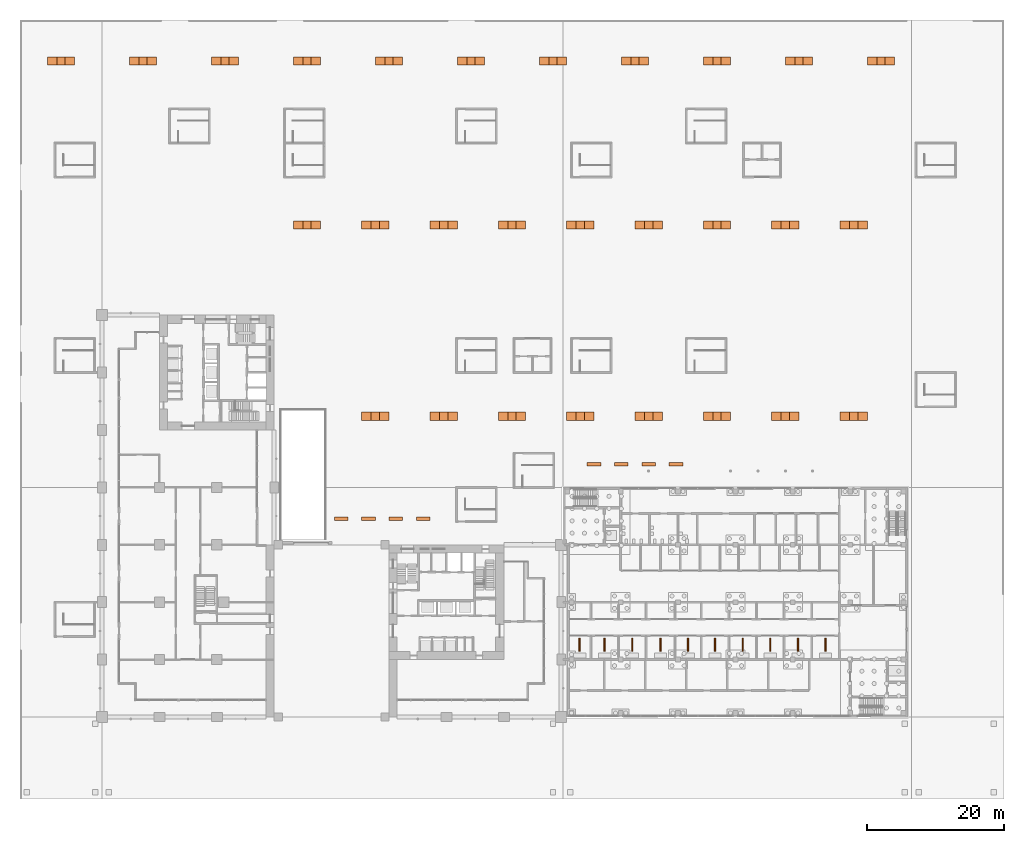
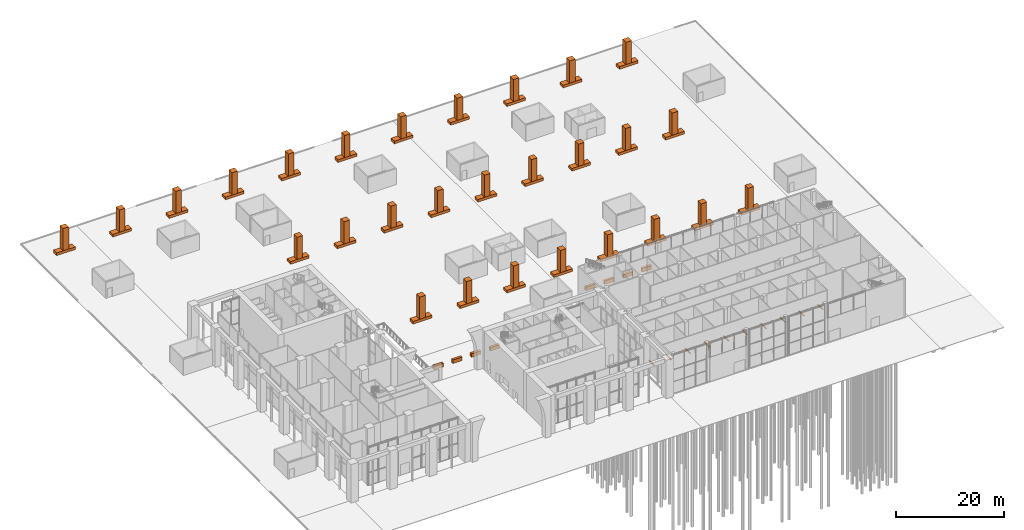
# One storey, part 45 of 46: 74 proxies.
"""IFC4 building model written with IfcOpenShell, lengths in metres."""

from ifc_helpers import new_model, si_unit, direction, frame, origin, origin_2d, place, context, subcontext, project, spatial, rectangle, extrude, material, element, save


model = new_model("IFC4")

# Units and contexts
model_context = context("Model", 3, precision=1e-05, world=origin(), true_north=direction((0.0, 1.0)))
body_context = subcontext(model_context, "Body", "Model", "MODEL_VIEW")
ifc_project = project(units=[si_unit("LENGTHUNIT", "METRE"), si_unit("AREAUNIT", "SQUARE_METRE"), si_unit("VOLUMEUNIT", "CUBIC_METRE"), si_unit("PLANEANGLEUNIT", "RADIAN"), si_unit("MASSUNIT", "GRAM", prefix="KILO")], contexts=[model_context])

# Site, building, storey
site_placement = place(None, origin())
site = spatial("IfcSite", under=ifc_project, at=site_placement, CompositionType="ELEMENT")
building_placement = place(site_placement, origin())
building = spatial("IfcBuilding", under=site, at=building_placement, Name="Vermilion Gate Residences", CompositionType="ELEMENT")
storey_placement = place(building_placement, origin())
storey = spatial("IfcBuildingStorey", under=building, at=storey_placement, Name="L00", CompositionType="ELEMENT", Elevation=0.0)

# Proxies
ifc_material_1 = material(Name="Stainless steel", Category="steel")
for number, where, z_axis, x_axis, name in (
    (1, (69.89501953125, 10.550048828125, 0.0), (0.0, 0.0, 1.0), (1.0, 0.0, 0.0), "Trench drain Fish stall 1"),
    (2, (73.56005859375, 10.550048828125, 0.0), (0.0, 0.0, 1.0), (1.0, 0.0, 0.0), "Trench drain Fish stall 2"),
    (3, (77.60009765625, 10.550048828125, 0.0), (0.0, 0.0, 1.0), (1.0, 0.0, 0.0), "Trench drain Butcher stall 3"),
    (4, (81.735107421875, 10.550048828125, 0.0), (0.0, 0.0, 1.0), (1.0, 0.0, 0.0), "Trench drain Fish stall 4"),
    (5, (85.77490234375, 10.550048828125, 0.0), (0.0, 0.0, 1.0), (1.0, 0.0, 0.0), "Trench drain Butcher stall 5"),
    (6, (89.719970703125, 10.550048828125, 0.0), (0.0, 0.0, 1.0), (1.0, 0.0, 0.0), "Trench drain Fish stall 6"),
    (7, (93.760009765625, 10.550048828125, 0.0), (0.0, 0.0, 1.0), (1.0, 0.0, 0.0), "Trench drain Fish stall 7"),
    (8, (97.800048828125, 10.550048828125, 0.0), (0.0, 0.0, 1.0), (1.0, 0.0, 0.0), "Trench drain Butcher stall 8"),
    (9, (101.840087890625, 10.550048828125, 0.0), (0.0, 0.0, 1.0), (1.0, 0.0, 0.0), "Trench drain Seafood stall 9"),
    (10, (105.8798828125, 10.550048828125, 0.0), (0.0, 0.0, 1.0), (1.0, 0.0, 0.0), "Trench drain Seafood stall 10"),
):
    element("IfcBuildingElementProxy", number, at=place(storey_placement, frame(where, z_axis=z_axis, x_axis=x_axis)), inside=storey, material=ifc_material_1, Name=name, ObjectType="TRENCH DRAIN", PredefinedType="USERDEFINED", context=body_context, shape_type="SweptSolid", body=[
        extrude(rectangle(XDim=0.199951171875, YDim=1.89990234375, at=origin_2d()), origin(), (0.0, 0.0, 1.0), 0.02001953125),
    ])
ifc_material_2 = material(Name="Planting soil")
proxy_1_placement = place(storey_placement, frame((40.0, 44.0, 0.0), z_axis=(0.0, 0.0, 1.0), x_axis=(1.0, 0.0, 0.0)))
element("IfcBuildingElementProxy", 11, at=proxy_1_placement, inside=storey, material=ifc_material_2, Name="Planter 1", ObjectType="PLANTER", PredefinedType="USERDEFINED", context=body_context, shape_type="SweptSolid", body=[
    extrude(rectangle(XDim=4.0, YDim=1.199951171875, at=origin_2d()), origin(), (0.0, 0.0, 1.0), 0.60009765625),
])
ifc_material_3 = material(Name="Foliage")
proxy_2_placement = place(storey_placement, frame((40.0, 44.0, 0.60009765625), z_axis=(0.0, 0.0, 1.0), x_axis=(1.0, 0.0, 0.0)))
element("IfcBuildingElementProxy", 12, at=proxy_2_placement, inside=storey, material=ifc_material_3, Name="Zelkova tree 1", ObjectType="TREE", PredefinedType="USERDEFINED", context=body_context, shape_type="SweptSolid", body=[
    extrude(rectangle(XDim=1.199951171875, YDim=1.199951171875, at=origin_2d()), origin(), (0.0, 0.0, 1.0), 5.0),
])
proxy_3_placement = place(storey_placement, frame((50.0, 44.0, 0.0), z_axis=(0.0, 0.0, 1.0), x_axis=(1.0, 0.0, 0.0)))
element("IfcBuildingElementProxy", 13, at=proxy_3_placement, inside=storey, material=ifc_material_2, Name="Planter 2", ObjectType="PLANTER", PredefinedType="USERDEFINED", context=body_context, shape_type="SweptSolid", body=[
    extrude(rectangle(XDim=4.0, YDim=1.199951171875, at=origin_2d()), origin(), (0.0, 0.0, 1.0), 0.60009765625),
])
proxy_4_placement = place(storey_placement, frame((50.0, 44.0, 0.60009765625), z_axis=(0.0, 0.0, 1.0), x_axis=(1.0, 0.0, 0.0)))
element("IfcBuildingElementProxy", 14, at=proxy_4_placement, inside=storey, material=ifc_material_3, Name="Zelkova tree 2", ObjectType="TREE", PredefinedType="USERDEFINED", context=body_context, shape_type="SweptSolid", body=[
    extrude(rectangle(XDim=1.199951171875, YDim=1.199951171875, at=origin_2d()), origin(), (0.0, 0.0, 1.0), 5.0),
])
proxy_5_placement = place(storey_placement, frame((60.0, 44.0, 0.0), z_axis=(0.0, 0.0, 1.0), x_axis=(1.0, 0.0, 0.0)))
element("IfcBuildingElementProxy", 15, at=proxy_5_placement, inside=storey, material=ifc_material_2, Name="Planter 3", ObjectType="PLANTER", PredefinedType="USERDEFINED", context=body_context, shape_type="SweptSolid", body=[
    extrude(rectangle(XDim=4.0, YDim=1.199951171875, at=origin_2d()), origin(), (0.0, 0.0, 1.0), 0.60009765625),
])
proxy_6_placement = place(storey_placement, frame((60.0, 44.0, 0.60009765625), z_axis=(0.0, 0.0, 1.0), x_axis=(1.0, 0.0, 0.0)))
element("IfcBuildingElementProxy", 16, at=proxy_6_placement, inside=storey, material=ifc_material_3, Name="Zelkova tree 3", ObjectType="TREE", PredefinedType="USERDEFINED", context=body_context, shape_type="SweptSolid", body=[
    extrude(rectangle(XDim=1.199951171875, YDim=1.199951171875, at=origin_2d()), origin(), (0.0, 0.0, 1.0), 5.0),
])
proxy_7_placement = place(storey_placement, frame((70.0, 44.0, 0.0), z_axis=(0.0, 0.0, 1.0), x_axis=(1.0, 0.0, 0.0)))
element("IfcBuildingElementProxy", 17, at=proxy_7_placement, inside=storey, material=ifc_material_2, Name="Planter 4", ObjectType="PLANTER", PredefinedType="USERDEFINED", context=body_context, shape_type="SweptSolid", body=[
    extrude(rectangle(XDim=4.0, YDim=1.199951171875, at=origin_2d()), origin(), (0.0, 0.0, 1.0), 0.60009765625),
])
proxy_8_placement = place(storey_placement, frame((70.0, 44.0, 0.60009765625), z_axis=(0.0, 0.0, 1.0), x_axis=(1.0, 0.0, 0.0)))
element("IfcBuildingElementProxy", 18, at=proxy_8_placement, inside=storey, material=ifc_material_3, Name="Zelkova tree 4", ObjectType="TREE", PredefinedType="USERDEFINED", context=body_context, shape_type="SweptSolid", body=[
    extrude(rectangle(XDim=1.199951171875, YDim=1.199951171875, at=origin_2d()), origin(), (0.0, 0.0, 1.0), 5.0),
])
proxy_9_placement = place(storey_placement, frame((80.0, 44.0, 0.0), z_axis=(0.0, 0.0, 1.0), x_axis=(1.0, 0.0, 0.0)))
element("IfcBuildingElementProxy", 19, at=proxy_9_placement, inside=storey, material=ifc_material_2, Name="Planter 5", ObjectType="PLANTER", PredefinedType="USERDEFINED", context=body_context, shape_type="SweptSolid", body=[
    extrude(rectangle(XDim=4.0, YDim=1.199951171875, at=origin_2d()), origin(), (0.0, 0.0, 1.0), 0.60009765625),
])
proxy_10_placement = place(storey_placement, frame((80.0, 44.0, 0.60009765625), z_axis=(0.0, 0.0, 1.0), x_axis=(1.0, 0.0, 0.0)))
element("IfcBuildingElementProxy", 20, at=proxy_10_placement, inside=storey, material=ifc_material_3, Name="Zelkova tree 5", ObjectType="TREE", PredefinedType="USERDEFINED", context=body_context, shape_type="SweptSolid", body=[
    extrude(rectangle(XDim=1.199951171875, YDim=1.199951171875, at=origin_2d()), origin(), (0.0, 0.0, 1.0), 5.0),
])
proxy_11_placement = place(storey_placement, frame((90.0, 44.0, 0.0), z_axis=(0.0, 0.0, 1.0), x_axis=(1.0, 0.0, 0.0)))
element("IfcBuildingElementProxy", 21, at=proxy_11_placement, inside=storey, material=ifc_material_2, Name="Planter 6", ObjectType="PLANTER", PredefinedType="USERDEFINED", context=body_context, shape_type="SweptSolid", body=[
    extrude(rectangle(XDim=4.0, YDim=1.199951171875, at=origin_2d()), origin(), (0.0, 0.0, 1.0), 0.60009765625),
])
proxy_12_placement = place(storey_placement, frame((90.0, 44.0, 0.60009765625), z_axis=(0.0, 0.0, 1.0), x_axis=(1.0, 0.0, 0.0)))
element("IfcBuildingElementProxy", 22, at=proxy_12_placement, inside=storey, material=ifc_material_3, Name="Zelkova tree 6", ObjectType="TREE", PredefinedType="USERDEFINED", context=body_context, shape_type="SweptSolid", body=[
    extrude(rectangle(XDim=1.199951171875, YDim=1.199951171875, at=origin_2d()), origin(), (0.0, 0.0, 1.0), 5.0),
])
proxy_13_placement = place(storey_placement, frame((100.0, 44.0, 0.0), z_axis=(0.0, 0.0, 1.0), x_axis=(1.0, 0.0, 0.0)))
element("IfcBuildingElementProxy", 23, at=proxy_13_placement, inside=storey, material=ifc_material_2, Name="Planter 7", ObjectType="PLANTER", PredefinedType="USERDEFINED", context=body_context, shape_type="SweptSolid", body=[
    extrude(rectangle(XDim=4.0, YDim=1.199951171875, at=origin_2d()), origin(), (0.0, 0.0, 1.0), 0.60009765625),
])
proxy_14_placement = place(storey_placement, frame((100.0, 44.0, 0.60009765625), z_axis=(0.0, 0.0, 1.0), x_axis=(1.0, 0.0, 0.0)))
element("IfcBuildingElementProxy", 24, at=proxy_14_placement, inside=storey, material=ifc_material_3, Name="Zelkova tree 7", ObjectType="TREE", PredefinedType="USERDEFINED", context=body_context, shape_type="SweptSolid", body=[
    extrude(rectangle(XDim=1.199951171875, YDim=1.199951171875, at=origin_2d()), origin(), (0.0, 0.0, 1.0), 5.0),
])
proxy_15_placement = place(storey_placement, frame((110.0, 44.0, 0.0), z_axis=(0.0, 0.0, 1.0), x_axis=(1.0, 0.0, 0.0)))
element("IfcBuildingElementProxy", 25, at=proxy_15_placement, inside=storey, material=ifc_material_2, Name="Planter 8", ObjectType="PLANTER", PredefinedType="USERDEFINED", context=body_context, shape_type="SweptSolid", body=[
    extrude(rectangle(XDim=4.0, YDim=1.199951171875, at=origin_2d()), origin(), (0.0, 0.0, 1.0), 0.60009765625),
])
proxy_16_placement = place(storey_placement, frame((110.0, 44.0, 0.60009765625), z_axis=(0.0, 0.0, 1.0), x_axis=(1.0, 0.0, 0.0)))
element("IfcBuildingElementProxy", 26, at=proxy_16_placement, inside=storey, material=ifc_material_3, Name="Zelkova tree 8", ObjectType="TREE", PredefinedType="USERDEFINED", context=body_context, shape_type="SweptSolid", body=[
    extrude(rectangle(XDim=1.199951171875, YDim=1.199951171875, at=origin_2d()), origin(), (0.0, 0.0, 1.0), 5.0),
])
proxy_17_placement = place(storey_placement, frame((30.0, 72.0, 0.0), z_axis=(0.0, 0.0, 1.0), x_axis=(1.0, 0.0, 0.0)))
element("IfcBuildingElementProxy", 27, at=proxy_17_placement, inside=storey, material=ifc_material_2, Name="Planter 9", ObjectType="PLANTER", PredefinedType="USERDEFINED", context=body_context, shape_type="SweptSolid", body=[
    extrude(rectangle(XDim=4.0, YDim=1.199951171875, at=origin_2d()), origin(), (0.0, 0.0, 1.0), 0.60009765625),
])
proxy_18_placement = place(storey_placement, frame((30.0, 72.0, 0.60009765625), z_axis=(0.0, 0.0, 1.0), x_axis=(1.0, 0.0, 0.0)))
element("IfcBuildingElementProxy", 28, at=proxy_18_placement, inside=storey, material=ifc_material_3, Name="Zelkova tree 9", ObjectType="TREE", PredefinedType="USERDEFINED", context=body_context, shape_type="SweptSolid", body=[
    extrude(rectangle(XDim=1.199951171875, YDim=1.199951171875, at=origin_2d()), origin(), (0.0, 0.0, 1.0), 5.0),
])
proxy_19_placement = place(storey_placement, frame((40.0, 72.0, 0.0), z_axis=(0.0, 0.0, 1.0), x_axis=(1.0, 0.0, 0.0)))
element("IfcBuildingElementProxy", 29, at=proxy_19_placement, inside=storey, material=ifc_material_2, Name="Planter 10", ObjectType="PLANTER", PredefinedType="USERDEFINED", context=body_context, shape_type="SweptSolid", body=[
    extrude(rectangle(XDim=4.0, YDim=1.199951171875, at=origin_2d()), origin(), (0.0, 0.0, 1.0), 0.60009765625),
])
proxy_20_placement = place(storey_placement, frame((40.0, 72.0, 0.60009765625), z_axis=(0.0, 0.0, 1.0), x_axis=(1.0, 0.0, 0.0)))
element("IfcBuildingElementProxy", 30, at=proxy_20_placement, inside=storey, material=ifc_material_3, Name="Zelkova tree 10", ObjectType="TREE", PredefinedType="USERDEFINED", context=body_context, shape_type="SweptSolid", body=[
    extrude(rectangle(XDim=1.199951171875, YDim=1.199951171875, at=origin_2d()), origin(), (0.0, 0.0, 1.0), 5.0),
])
proxy_21_placement = place(storey_placement, frame((50.0, 72.0, 0.0), z_axis=(0.0, 0.0, 1.0), x_axis=(1.0, 0.0, 0.0)))
element("IfcBuildingElementProxy", 31, at=proxy_21_placement, inside=storey, material=ifc_material_2, Name="Planter 11", ObjectType="PLANTER", PredefinedType="USERDEFINED", context=body_context, shape_type="SweptSolid", body=[
    extrude(rectangle(XDim=4.0, YDim=1.199951171875, at=origin_2d()), origin(), (0.0, 0.0, 1.0), 0.60009765625),
])
proxy_22_placement = place(storey_placement, frame((50.0, 72.0, 0.60009765625), z_axis=(0.0, 0.0, 1.0), x_axis=(1.0, 0.0, 0.0)))
element("IfcBuildingElementProxy", 32, at=proxy_22_placement, inside=storey, material=ifc_material_3, Name="Zelkova tree 11", ObjectType="TREE", PredefinedType="USERDEFINED", context=body_context, shape_type="SweptSolid", body=[
    extrude(rectangle(XDim=1.199951171875, YDim=1.199951171875, at=origin_2d()), origin(), (0.0, 0.0, 1.0), 5.0),
])
proxy_23_placement = place(storey_placement, frame((60.0, 72.0, 0.0), z_axis=(0.0, 0.0, 1.0), x_axis=(1.0, 0.0, 0.0)))
element("IfcBuildingElementProxy", 33, at=proxy_23_placement, inside=storey, material=ifc_material_2, Name="Planter 12", ObjectType="PLANTER", PredefinedType="USERDEFINED", context=body_context, shape_type="SweptSolid", body=[
    extrude(rectangle(XDim=4.0, YDim=1.199951171875, at=origin_2d()), origin(), (0.0, 0.0, 1.0), 0.60009765625),
])
proxy_24_placement = place(storey_placement, frame((60.0, 72.0, 0.60009765625), z_axis=(0.0, 0.0, 1.0), x_axis=(1.0, 0.0, 0.0)))
element("IfcBuildingElementProxy", 34, at=proxy_24_placement, inside=storey, material=ifc_material_3, Name="Zelkova tree 12", ObjectType="TREE", PredefinedType="USERDEFINED", context=body_context, shape_type="SweptSolid", body=[
    extrude(rectangle(XDim=1.199951171875, YDim=1.199951171875, at=origin_2d()), origin(), (0.0, 0.0, 1.0), 5.0),
])
proxy_25_placement = place(storey_placement, frame((70.0, 72.0, 0.0), z_axis=(0.0, 0.0, 1.0), x_axis=(1.0, 0.0, 0.0)))
element("IfcBuildingElementProxy", 35, at=proxy_25_placement, inside=storey, material=ifc_material_2, Name="Planter 13", ObjectType="PLANTER", PredefinedType="USERDEFINED", context=body_context, shape_type="SweptSolid", body=[
    extrude(rectangle(XDim=4.0, YDim=1.199951171875, at=origin_2d()), origin(), (0.0, 0.0, 1.0), 0.60009765625),
])
proxy_26_placement = place(storey_placement, frame((70.0, 72.0, 0.60009765625), z_axis=(0.0, 0.0, 1.0), x_axis=(1.0, 0.0, 0.0)))
element("IfcBuildingElementProxy", 36, at=proxy_26_placement, inside=storey, material=ifc_material_3, Name="Zelkova tree 13", ObjectType="TREE", PredefinedType="USERDEFINED", context=body_context, shape_type="SweptSolid", body=[
    extrude(rectangle(XDim=1.199951171875, YDim=1.199951171875, at=origin_2d()), origin(), (0.0, 0.0, 1.0), 5.0),
])
proxy_27_placement = place(storey_placement, frame((80.0, 72.0, 0.0), z_axis=(0.0, 0.0, 1.0), x_axis=(1.0, 0.0, 0.0)))
element("IfcBuildingElementProxy", 37, at=proxy_27_placement, inside=storey, material=ifc_material_2, Name="Planter 14", ObjectType="PLANTER", PredefinedType="USERDEFINED", context=body_context, shape_type="SweptSolid", body=[
    extrude(rectangle(XDim=4.0, YDim=1.199951171875, at=origin_2d()), origin(), (0.0, 0.0, 1.0), 0.60009765625),
])
proxy_28_placement = place(storey_placement, frame((80.0, 72.0, 0.60009765625), z_axis=(0.0, 0.0, 1.0), x_axis=(1.0, 0.0, 0.0)))
element("IfcBuildingElementProxy", 38, at=proxy_28_placement, inside=storey, material=ifc_material_3, Name="Zelkova tree 14", ObjectType="TREE", PredefinedType="USERDEFINED", context=body_context, shape_type="SweptSolid", body=[
    extrude(rectangle(XDim=1.199951171875, YDim=1.199951171875, at=origin_2d()), origin(), (0.0, 0.0, 1.0), 5.0),
])
proxy_29_placement = place(storey_placement, frame((90.0, 72.0, 0.0), z_axis=(0.0, 0.0, 1.0), x_axis=(1.0, 0.0, 0.0)))
element("IfcBuildingElementProxy", 39, at=proxy_29_placement, inside=storey, material=ifc_material_2, Name="Planter 15", ObjectType="PLANTER", PredefinedType="USERDEFINED", context=body_context, shape_type="SweptSolid", body=[
    extrude(rectangle(XDim=4.0, YDim=1.199951171875, at=origin_2d()), origin(), (0.0, 0.0, 1.0), 0.60009765625),
])
proxy_30_placement = place(storey_placement, frame((90.0, 72.0, 0.60009765625), z_axis=(0.0, 0.0, 1.0), x_axis=(1.0, 0.0, 0.0)))
element("IfcBuildingElementProxy", 40, at=proxy_30_placement, inside=storey, material=ifc_material_3, Name="Zelkova tree 15", ObjectType="TREE", PredefinedType="USERDEFINED", context=body_context, shape_type="SweptSolid", body=[
    extrude(rectangle(XDim=1.199951171875, YDim=1.199951171875, at=origin_2d()), origin(), (0.0, 0.0, 1.0), 5.0),
])
proxy_31_placement = place(storey_placement, frame((100.0, 72.0, 0.0), z_axis=(0.0, 0.0, 1.0), x_axis=(1.0, 0.0, 0.0)))
element("IfcBuildingElementProxy", 41, at=proxy_31_placement, inside=storey, material=ifc_material_2, Name="Planter 16", ObjectType="PLANTER", PredefinedType="USERDEFINED", context=body_context, shape_type="SweptSolid", body=[
    extrude(rectangle(XDim=4.0, YDim=1.199951171875, at=origin_2d()), origin(), (0.0, 0.0, 1.0), 0.60009765625),
])
proxy_32_placement = place(storey_placement, frame((100.0, 72.0, 0.60009765625), z_axis=(0.0, 0.0, 1.0), x_axis=(1.0, 0.0, 0.0)))
element("IfcBuildingElementProxy", 42, at=proxy_32_placement, inside=storey, material=ifc_material_3, Name="Zelkova tree 16", ObjectType="TREE", PredefinedType="USERDEFINED", context=body_context, shape_type="SweptSolid", body=[
    extrude(rectangle(XDim=1.199951171875, YDim=1.199951171875, at=origin_2d()), origin(), (0.0, 0.0, 1.0), 5.0),
])
proxy_33_placement = place(storey_placement, frame((110.0, 72.0, 0.0), z_axis=(0.0, 0.0, 1.0), x_axis=(1.0, 0.0, 0.0)))
element("IfcBuildingElementProxy", 43, at=proxy_33_placement, inside=storey, material=ifc_material_2, Name="Planter 17", ObjectType="PLANTER", PredefinedType="USERDEFINED", context=body_context, shape_type="SweptSolid", body=[
    extrude(rectangle(XDim=4.0, YDim=1.199951171875, at=origin_2d()), origin(), (0.0, 0.0, 1.0), 0.60009765625),
])
proxy_34_placement = place(storey_placement, frame((110.0, 72.0, 0.60009765625), z_axis=(0.0, 0.0, 1.0), x_axis=(1.0, 0.0, 0.0)))
element("IfcBuildingElementProxy", 44, at=proxy_34_placement, inside=storey, material=ifc_material_3, Name="Zelkova tree 17", ObjectType="TREE", PredefinedType="USERDEFINED", context=body_context, shape_type="SweptSolid", body=[
    extrude(rectangle(XDim=1.199951171875, YDim=1.199951171875, at=origin_2d()), origin(), (0.0, 0.0, 1.0), 5.0),
])
proxy_35_placement = place(storey_placement, frame((-6.0, 96.0, 0.0), z_axis=(0.0, 0.0, 1.0), x_axis=(1.0, 0.0, 0.0)))
element("IfcBuildingElementProxy", 45, at=proxy_35_placement, inside=storey, material=ifc_material_2, Name="Planter 18", ObjectType="PLANTER", PredefinedType="USERDEFINED", context=body_context, shape_type="SweptSolid", body=[
    extrude(rectangle(XDim=4.0, YDim=1.199951171875, at=origin_2d()), origin(), (0.0, 0.0, 1.0), 0.60009765625),
])
proxy_36_placement = place(storey_placement, frame((-6.0, 96.0, 0.60009765625), z_axis=(0.0, 0.0, 1.0), x_axis=(1.0, 0.0, 0.0)))
element("IfcBuildingElementProxy", 46, at=proxy_36_placement, inside=storey, material=ifc_material_3, Name="Zelkova tree 18", ObjectType="TREE", PredefinedType="USERDEFINED", context=body_context, shape_type="SweptSolid", body=[
    extrude(rectangle(XDim=1.199951171875, YDim=1.199951171875, at=origin_2d()), origin(), (0.0, 0.0, 1.0), 5.0),
])
proxy_37_placement = place(storey_placement, frame((6.0, 96.0, 0.0), z_axis=(0.0, 0.0, 1.0), x_axis=(1.0, 0.0, 0.0)))
element("IfcBuildingElementProxy", 47, at=proxy_37_placement, inside=storey, material=ifc_material_2, Name="Planter 19", ObjectType="PLANTER", PredefinedType="USERDEFINED", context=body_context, shape_type="SweptSolid", body=[
    extrude(rectangle(XDim=4.0, YDim=1.199951171875, at=origin_2d()), origin(), (0.0, 0.0, 1.0), 0.60009765625),
])
proxy_38_placement = place(storey_placement, frame((6.0, 96.0, 0.60009765625), z_axis=(0.0, 0.0, 1.0), x_axis=(1.0, 0.0, 0.0)))
element("IfcBuildingElementProxy", 48, at=proxy_38_placement, inside=storey, material=ifc_material_3, Name="Zelkova tree 19", ObjectType="TREE", PredefinedType="USERDEFINED", context=body_context, shape_type="SweptSolid", body=[
    extrude(rectangle(XDim=1.199951171875, YDim=1.199951171875, at=origin_2d()), origin(), (0.0, 0.0, 1.0), 5.0),
])
proxy_39_placement = place(storey_placement, frame((18.0, 96.0, 0.0), z_axis=(0.0, 0.0, 1.0), x_axis=(1.0, 0.0, 0.0)))
element("IfcBuildingElementProxy", 49, at=proxy_39_placement, inside=storey, material=ifc_material_2, Name="Planter 20", ObjectType="PLANTER", PredefinedType="USERDEFINED", context=body_context, shape_type="SweptSolid", body=[
    extrude(rectangle(XDim=4.0, YDim=1.199951171875, at=origin_2d()), origin(), (0.0, 0.0, 1.0), 0.60009765625),
])
proxy_40_placement = place(storey_placement, frame((18.0, 96.0, 0.60009765625), z_axis=(0.0, 0.0, 1.0), x_axis=(1.0, 0.0, 0.0)))
element("IfcBuildingElementProxy", 50, at=proxy_40_placement, inside=storey, material=ifc_material_3, Name="Zelkova tree 20", ObjectType="TREE", PredefinedType="USERDEFINED", context=body_context, shape_type="SweptSolid", body=[
    extrude(rectangle(XDim=1.199951171875, YDim=1.199951171875, at=origin_2d()), origin(), (0.0, 0.0, 1.0), 5.0),
])
proxy_41_placement = place(storey_placement, frame((30.0, 96.0, 0.0), z_axis=(0.0, 0.0, 1.0), x_axis=(1.0, 0.0, 0.0)))
element("IfcBuildingElementProxy", 51, at=proxy_41_placement, inside=storey, material=ifc_material_2, Name="Planter 21", ObjectType="PLANTER", PredefinedType="USERDEFINED", context=body_context, shape_type="SweptSolid", body=[
    extrude(rectangle(XDim=4.0, YDim=1.199951171875, at=origin_2d()), origin(), (0.0, 0.0, 1.0), 0.60009765625),
])
proxy_42_placement = place(storey_placement, frame((30.0, 96.0, 0.60009765625), z_axis=(0.0, 0.0, 1.0), x_axis=(1.0, 0.0, 0.0)))
element("IfcBuildingElementProxy", 52, at=proxy_42_placement, inside=storey, material=ifc_material_3, Name="Zelkova tree 21", ObjectType="TREE", PredefinedType="USERDEFINED", context=body_context, shape_type="SweptSolid", body=[
    extrude(rectangle(XDim=1.199951171875, YDim=1.199951171875, at=origin_2d()), origin(), (0.0, 0.0, 1.0), 5.0),
])
proxy_43_placement = place(storey_placement, frame((42.0, 96.0, 0.0), z_axis=(0.0, 0.0, 1.0), x_axis=(1.0, 0.0, 0.0)))
element("IfcBuildingElementProxy", 53, at=proxy_43_placement, inside=storey, material=ifc_material_2, Name="Planter 22", ObjectType="PLANTER", PredefinedType="USERDEFINED", context=body_context, shape_type="SweptSolid", body=[
    extrude(rectangle(XDim=4.0, YDim=1.199951171875, at=origin_2d()), origin(), (0.0, 0.0, 1.0), 0.60009765625),
])
proxy_44_placement = place(storey_placement, frame((42.0, 96.0, 0.60009765625), z_axis=(0.0, 0.0, 1.0), x_axis=(1.0, 0.0, 0.0)))
element("IfcBuildingElementProxy", 54, at=proxy_44_placement, inside=storey, material=ifc_material_3, Name="Zelkova tree 22", ObjectType="TREE", PredefinedType="USERDEFINED", context=body_context, shape_type="SweptSolid", body=[
    extrude(rectangle(XDim=1.199951171875, YDim=1.199951171875, at=origin_2d()), origin(), (0.0, 0.0, 1.0), 5.0),
])
proxy_45_placement = place(storey_placement, frame((54.0, 96.0, 0.0), z_axis=(0.0, 0.0, 1.0), x_axis=(1.0, 0.0, 0.0)))
element("IfcBuildingElementProxy", 55, at=proxy_45_placement, inside=storey, material=ifc_material_2, Name="Planter 23", ObjectType="PLANTER", PredefinedType="USERDEFINED", context=body_context, shape_type="SweptSolid", body=[
    extrude(rectangle(XDim=4.0, YDim=1.199951171875, at=origin_2d()), origin(), (0.0, 0.0, 1.0), 0.60009765625),
])
proxy_46_placement = place(storey_placement, frame((54.0, 96.0, 0.60009765625), z_axis=(0.0, 0.0, 1.0), x_axis=(1.0, 0.0, 0.0)))
element("IfcBuildingElementProxy", 56, at=proxy_46_placement, inside=storey, material=ifc_material_3, Name="Zelkova tree 23", ObjectType="TREE", PredefinedType="USERDEFINED", context=body_context, shape_type="SweptSolid", body=[
    extrude(rectangle(XDim=1.199951171875, YDim=1.199951171875, at=origin_2d()), origin(), (0.0, 0.0, 1.0), 5.0),
])
proxy_47_placement = place(storey_placement, frame((66.0, 96.0, 0.0), z_axis=(0.0, 0.0, 1.0), x_axis=(1.0, 0.0, 0.0)))
element("IfcBuildingElementProxy", 57, at=proxy_47_placement, inside=storey, material=ifc_material_2, Name="Planter 24", ObjectType="PLANTER", PredefinedType="USERDEFINED", context=body_context, shape_type="SweptSolid", body=[
    extrude(rectangle(XDim=4.0, YDim=1.199951171875, at=origin_2d()), origin(), (0.0, 0.0, 1.0), 0.60009765625),
])
proxy_48_placement = place(storey_placement, frame((66.0, 96.0, 0.60009765625), z_axis=(0.0, 0.0, 1.0), x_axis=(1.0, 0.0, 0.0)))
element("IfcBuildingElementProxy", 58, at=proxy_48_placement, inside=storey, material=ifc_material_3, Name="Zelkova tree 24", ObjectType="TREE", PredefinedType="USERDEFINED", context=body_context, shape_type="SweptSolid", body=[
    extrude(rectangle(XDim=1.199951171875, YDim=1.199951171875, at=origin_2d()), origin(), (0.0, 0.0, 1.0), 5.0),
])
proxy_49_placement = place(storey_placement, frame((78.0, 96.0, 0.0), z_axis=(0.0, 0.0, 1.0), x_axis=(1.0, 0.0, 0.0)))
element("IfcBuildingElementProxy", 59, at=proxy_49_placement, inside=storey, material=ifc_material_2, Name="Planter 25", ObjectType="PLANTER", PredefinedType="USERDEFINED", context=body_context, shape_type="SweptSolid", body=[
    extrude(rectangle(XDim=4.0, YDim=1.199951171875, at=origin_2d()), origin(), (0.0, 0.0, 1.0), 0.60009765625),
])
proxy_50_placement = place(storey_placement, frame((78.0, 96.0, 0.60009765625), z_axis=(0.0, 0.0, 1.0), x_axis=(1.0, 0.0, 0.0)))
element("IfcBuildingElementProxy", 60, at=proxy_50_placement, inside=storey, material=ifc_material_3, Name="Zelkova tree 25", ObjectType="TREE", PredefinedType="USERDEFINED", context=body_context, shape_type="SweptSolid", body=[
    extrude(rectangle(XDim=1.199951171875, YDim=1.199951171875, at=origin_2d()), origin(), (0.0, 0.0, 1.0), 5.0),
])
proxy_51_placement = place(storey_placement, frame((90.0, 96.0, 0.0), z_axis=(0.0, 0.0, 1.0), x_axis=(1.0, 0.0, 0.0)))
element("IfcBuildingElementProxy", 61, at=proxy_51_placement, inside=storey, material=ifc_material_2, Name="Planter 26", ObjectType="PLANTER", PredefinedType="USERDEFINED", context=body_context, shape_type="SweptSolid", body=[
    extrude(rectangle(XDim=4.0, YDim=1.199951171875, at=origin_2d()), origin(), (0.0, 0.0, 1.0), 0.60009765625),
])
proxy_52_placement = place(storey_placement, frame((90.0, 96.0, 0.60009765625), z_axis=(0.0, 0.0, 1.0), x_axis=(1.0, 0.0, 0.0)))
element("IfcBuildingElementProxy", 62, at=proxy_52_placement, inside=storey, material=ifc_material_3, Name="Zelkova tree 26", ObjectType="TREE", PredefinedType="USERDEFINED", context=body_context, shape_type="SweptSolid", body=[
    extrude(rectangle(XDim=1.199951171875, YDim=1.199951171875, at=origin_2d()), origin(), (0.0, 0.0, 1.0), 5.0),
])
proxy_53_placement = place(storey_placement, frame((102.0, 96.0, 0.0), z_axis=(0.0, 0.0, 1.0), x_axis=(1.0, 0.0, 0.0)))
element("IfcBuildingElementProxy", 63, at=proxy_53_placement, inside=storey, material=ifc_material_2, Name="Planter 27", ObjectType="PLANTER", PredefinedType="USERDEFINED", context=body_context, shape_type="SweptSolid", body=[
    extrude(rectangle(XDim=4.0, YDim=1.199951171875, at=origin_2d()), origin(), (0.0, 0.0, 1.0), 0.60009765625),
])
proxy_54_placement = place(storey_placement, frame((102.0, 96.0, 0.60009765625), z_axis=(0.0, 0.0, 1.0), x_axis=(1.0, 0.0, 0.0)))
element("IfcBuildingElementProxy", 64, at=proxy_54_placement, inside=storey, material=ifc_material_3, Name="Zelkova tree 27", ObjectType="TREE", PredefinedType="USERDEFINED", context=body_context, shape_type="SweptSolid", body=[
    extrude(rectangle(XDim=1.199951171875, YDim=1.199951171875, at=origin_2d()), origin(), (0.0, 0.0, 1.0), 5.0),
])
proxy_55_placement = place(storey_placement, frame((114.0, 96.0, 0.0), z_axis=(0.0, 0.0, 1.0), x_axis=(1.0, 0.0, 0.0)))
element("IfcBuildingElementProxy", 65, at=proxy_55_placement, inside=storey, material=ifc_material_2, Name="Planter 28", ObjectType="PLANTER", PredefinedType="USERDEFINED", context=body_context, shape_type="SweptSolid", body=[
    extrude(rectangle(XDim=4.0, YDim=1.199951171875, at=origin_2d()), origin(), (0.0, 0.0, 1.0), 0.60009765625),
])
proxy_56_placement = place(storey_placement, frame((114.0, 96.0, 0.60009765625), z_axis=(0.0, 0.0, 1.0), x_axis=(1.0, 0.0, 0.0)))
element("IfcBuildingElementProxy", 66, at=proxy_56_placement, inside=storey, material=ifc_material_3, Name="Zelkova tree 28", ObjectType="TREE", PredefinedType="USERDEFINED", context=body_context, shape_type="SweptSolid", body=[
    extrude(rectangle(XDim=1.199951171875, YDim=1.199951171875, at=origin_2d()), origin(), (0.0, 0.0, 1.0), 5.0),
])
for number, where, z_axis, x_axis, name in (
    (67, (72.0, 37.0, 0.0), (0.0, 0.0, 1.0), (1.0, 0.0, 0.0), "Bicycle rack 1"),
    (68, (76.0, 37.0, 0.0), (0.0, 0.0, 1.0), (1.0, 0.0, 0.0), "Bicycle rack 2"),
    (69, (80.0, 37.0, 0.0), (0.0, 0.0, 1.0), (1.0, 0.0, 0.0), "Bicycle rack 3"),
    (70, (84.0, 37.0, 0.0), (0.0, 0.0, 1.0), (1.0, 0.0, 0.0), "Bicycle rack 4"),
    (71, (35.0, 29.0, 0.0), (0.0, 0.0, 1.0), (1.0, 0.0, 0.0), "Bicycle rack 5"),
    (72, (39.0, 29.0, 0.0), (0.0, 0.0, 1.0), (1.0, 0.0, 0.0), "Bicycle rack 6"),
    (73, (43.0, 29.0, 0.0), (0.0, 0.0, 1.0), (1.0, 0.0, 0.0), "Bicycle rack 7"),
    (74, (47.0, 29.0, 0.0), (0.0, 0.0, 1.0), (1.0, 0.0, 0.0), "Bicycle rack 8"),
):
    element("IfcBuildingElementProxy", number, at=place(storey_placement, frame(where, z_axis=z_axis, x_axis=x_axis)), inside=storey, Name=name, ObjectType="BICYCLE RACK", PredefinedType="USERDEFINED", context=body_context, shape_type="SweptSolid", body=[
        extrude(rectangle(XDim=2.0, YDim=0.5, at=origin_2d()), origin(), (0.0, 0.0, 1.0), 0.800048828125),
    ])

save(model, "model.ifc")
